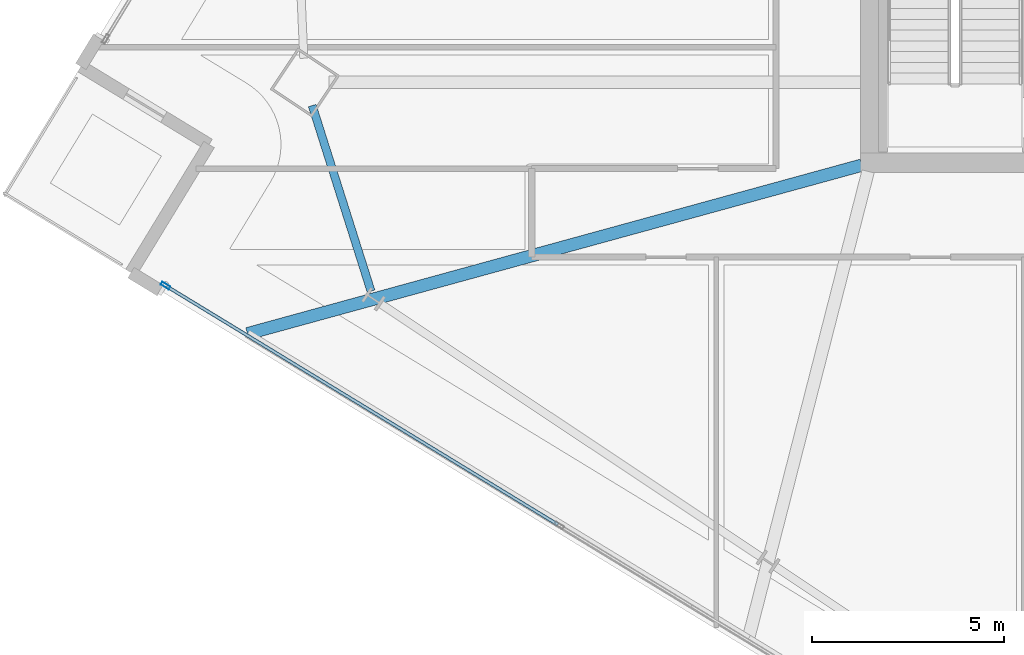
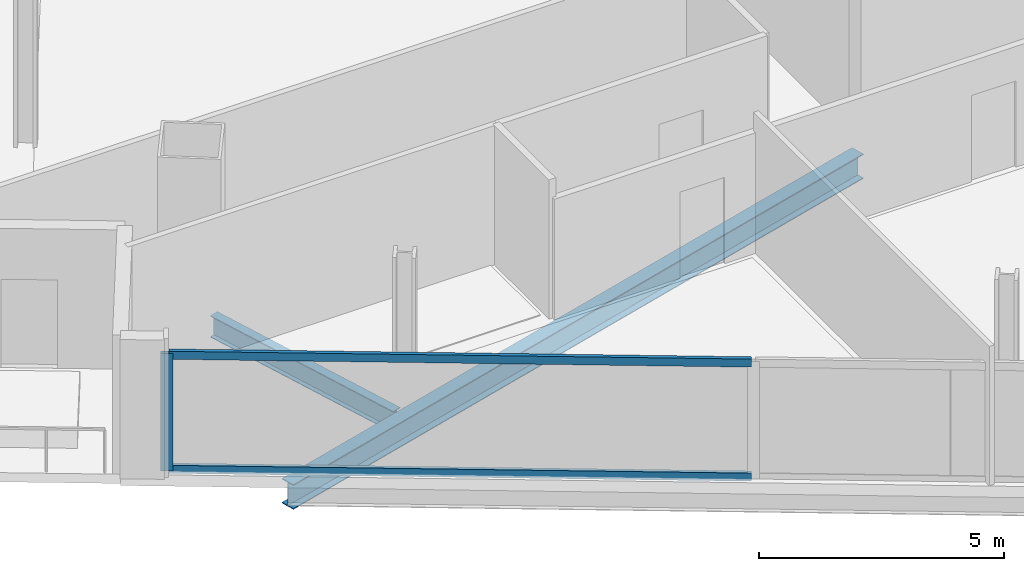
# One storey, part 5 of 28: 3 members, 2 beams, 1 element without a shape of its own.
"""IFC4 building model written with IfcOpenShell, lengths in metres."""

from ifc_helpers import new_model, si_unit, direction, frame, origin, origin_2d, place, context, subcontext, project, spatial, hollow_rectangle, i_section, extrude, material, material_profile, profile_set, type_object, element, aggregate, save


model = new_model("IFC4")

# Units and contexts
model_context = context("Model", 3, precision=1e-05, world=origin(), true_north=direction((0.0, 1.0)))
body_context = subcontext(model_context, "Body", "Model", "MODEL_VIEW")
ifc_project = project(units=[si_unit("LENGTHUNIT", "METRE"), si_unit("AREAUNIT", "SQUARE_METRE"), si_unit("VOLUMEUNIT", "CUBIC_METRE"), si_unit("PLANEANGLEUNIT", "RADIAN"), si_unit("MASSUNIT", "GRAM", prefix="KILO")], contexts=[model_context])

# Site, building, storey
site_placement = place(None, origin())
site = spatial("IfcSite", under=ifc_project, at=site_placement, CompositionType="ELEMENT")
building_placement = place(site_placement, origin())
building = spatial("IfcBuilding", under=site, at=building_placement, Name="Haldenkirk Collegiate Tower", CompositionType="ELEMENT")
storey_placement = place(building_placement, frame((0.0, 0.0, 224.699951171875)))
storey = spatial("IfcBuildingStorey", under=building, at=storey_placement, Name="L56", CompositionType="ELEMENT", Elevation=224.699951171875)

# Beams
ifc_material_1 = material(Name="Steel ASTM A992 Grade 50", Category="steel")
ifc_material_profile_1 = material_profile(ifc_material_1, i_section(OverallWidth=0.324951171875, OverallDepth=0.615966796875, WebThickness=0.013916015625, FlangeThickness=0.021484375, at=origin_2d()), Name="W24X117")
ifc_profile_set_1 = profile_set([ifc_material_profile_1], Name="Steel ASTM A992 Grade 50")
beam_type_1 = type_object("IfcBeamType", Name="BM-GIRDER-W24X117", PredefinedType="BEAM", material=ifc_profile_set_1)
beam_1_placement = place(storey_placement, frame((10.8115234375, 13.558349609375, -0.587890625), z_axis=(0.964359796066, 0.26459437585, 0.0), x_axis=(-0.26459437585, 0.964359796066, 0.0)))
element("IfcBeam", 1, at=beam_1_placement, inside=storey, type_object=beam_type_1, Name="L56 primary floor girder 14", PredefinedType="BEAM", context=body_context, shape_type="SweptSolid", body=[
    extrude(i_section(OverallWidth=0.324951171875, OverallDepth=0.615966796875, WebThickness=0.013916015625, FlangeThickness=0.021484375, at=origin_2d()), origin(), (0.0, 0.0, 1.0), 16.556884765625),
])
ifc_material_profile_2 = material_profile(ifc_material_1, i_section(OverallWidth=0.2099609375, OverallDepth=0.537109375, WebThickness=0.010986328125, FlangeThickness=0.017333984375, at=origin_2d()), Name="W21X68")
ifc_profile_set_2 = profile_set([ifc_material_profile_2], Name="Steel ASTM A992 Grade 50")
beam_type_2 = type_object("IfcBeamType", Name="BM-SPANDREL-W21X68", PredefinedType="SPANDREL", material=ifc_profile_set_2)
beam_2_placement = place(storey_placement, frame((12.494873046875, 19.489013671875, -0.54833984375), z_axis=(0.301937009704, -0.95332787758, 0.0), x_axis=(0.95332787758, 0.301937009704, 0.0)))
element("IfcBeam", 2, at=beam_2_placement, inside=storey, type_object=beam_type_2, Name="L56 perimeter spandrel beam 13", PredefinedType="SPANDREL", context=body_context, shape_type="SweptSolid", body=[
    extrude(i_section(OverallWidth=0.2099609375, OverallDepth=0.537109375, WebThickness=0.010986328125, FlangeThickness=0.017333984375, at=origin_2d()), origin(), (0.0, 0.0, 1.0), 5.060791015625),
])

# Curtain wall, members
ifc_material_2 = material(Name="Anodised architectural bronze aluminium", Category="aluminium")
curtain_wall_type = type_object("IfcCurtainWallType", Name="CW-SYS1B-CONVEX-HI", PredefinedType="USERDEFINED", material=ifc_material_2)
curtain_wall_placement = place(storey_placement, origin())
curtain_wall = element("IfcCurtainWall", 3, at=curtain_wall_placement, inside=storey, type_object=curtain_wall_type, Name="L56 Upper tower high-wind convex bronze unitised curtain wall", ObjectType="UNITISED CURTAIN WALL", PredefinedType="USERDEFINED")
ifc_material_profile_3 = material_profile(ifc_material_2, hollow_rectangle(XDim=0.0849609375, YDim=0.25, WallThickness=0.0048828125, at=origin_2d()), Name="CW-MUL-1B")
ifc_profile_set_3 = profile_set([ifc_material_profile_3], Name="Anodised architectural bronze aluminium")
member_type_1 = type_object("IfcMemberType", Name="CW-MUL-1B", PredefinedType="MULLION", material=ifc_profile_set_3)
member_1_placement = place(storey_placement, frame((8.681884765625, 14.808837890625, 0.0), z_axis=(0.0, 0.0, 1.0), x_axis=(-0.520268152303, -0.854002956493, 0.0)))
member_1 = element("IfcMember", 4, at=member_1_placement, type_object=member_type_1, Name="CW-1B mullion 4", PredefinedType="MULLION", context=body_context, shape_type="SweptSolid", body=[
    extrude(hollow_rectangle(XDim=0.0849609375, YDim=0.25, WallThickness=0.0048828125, at=origin_2d()), origin(), (0.0, 0.0, 1.0), 2.927978515625),
])
ifc_material_profile_4 = material_profile(ifc_material_2, hollow_rectangle(XDim=0.0849609375, YDim=0.199951171875, WallThickness=0.0048828125, at=origin_2d()), Name="CW-TRN-1B")
ifc_profile_set_4 = profile_set([ifc_material_profile_4], Name="Anodised architectural bronze aluminium")
member_type_2 = type_object("IfcMemberType", Name="CW-TRN-1B", PredefinedType="USERDEFINED", material=ifc_profile_set_4)
member_2_placement = place(storey_placement, frame((18.878662109375, 8.596923828125, 0.04248046875), z_axis=(-0.854004333725, 0.520265891616, 0.0), x_axis=(-0.520265891616, -0.854004333725, 0.0)))
member_2 = element("IfcMember", 5, at=member_2_placement, type_object=member_type_2, Name="CW-1B transom 3.1", ObjectType="TRANSOM", PredefinedType="USERDEFINED", context=body_context, shape_type="SweptSolid", body=[
    extrude(hollow_rectangle(XDim=0.0849609375, YDim=0.199951171875, WallThickness=0.0048828125, at=origin_2d()), origin(), (0.0, 0.0, 1.0), 11.897705078125),
])
member_3_placement = place(storey_placement, frame((18.878662109375, 8.596923828125, 2.885498046875), z_axis=(-0.854004333725, 0.520265891616, 0.0), x_axis=(-0.520265891616, -0.854004333725, 0.0)))
member_3 = element("IfcMember", 6, at=member_3_placement, type_object=member_type_2, Name="CW-1B transom 3.2", ObjectType="TRANSOM", PredefinedType="USERDEFINED", context=body_context, shape_type="SweptSolid", body=[
    extrude(hollow_rectangle(XDim=0.0849609375, YDim=0.199951171875, WallThickness=0.0048828125, at=origin_2d()), origin(), (0.0, 0.0, 1.0), 11.897705078125),
])
aggregate(curtain_wall, [member_1, member_2, member_3])

save(model, "model.ifc")
